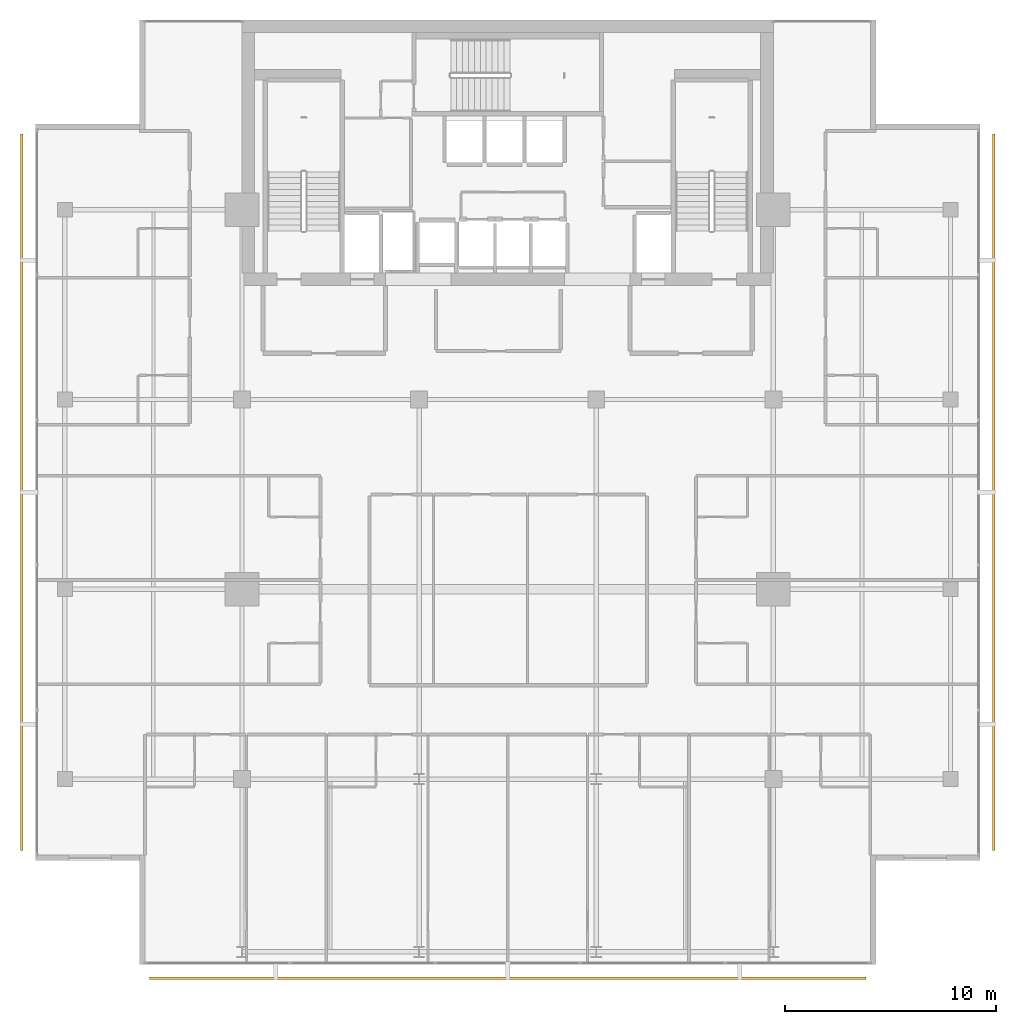
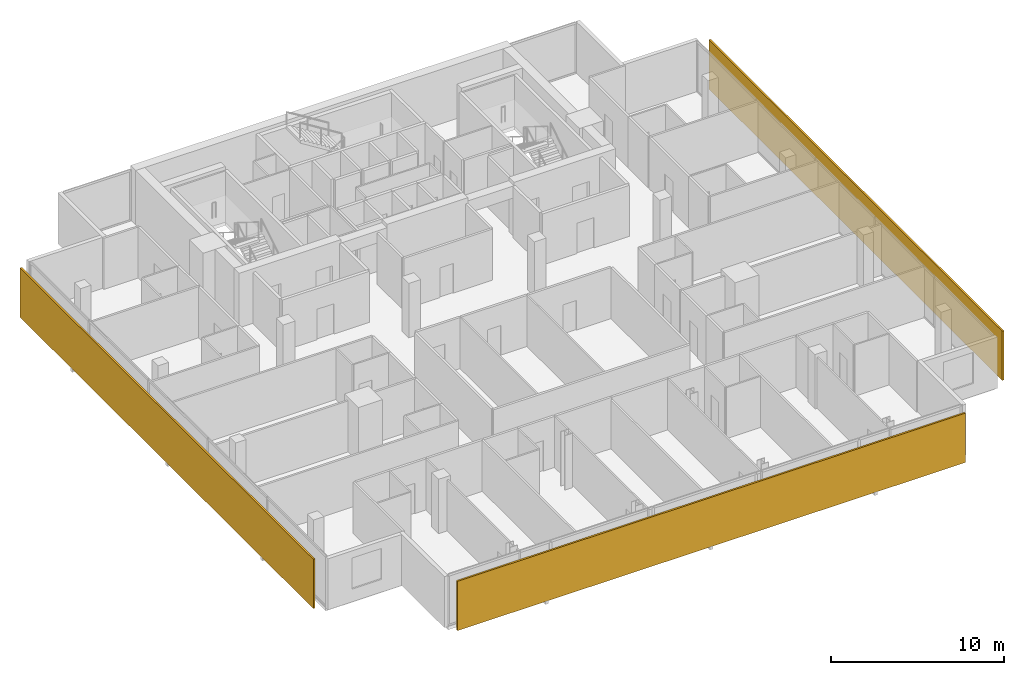
# One storey, part 25 of 26: 3 shading devices.
"""IFC4 building model written with IfcOpenShell, lengths in metres."""

from ifc_helpers import new_model, si_unit, direction, frame, origin, origin_2d, place, context, subcontext, project, spatial, rectangle, extrude, material, layer, layer_set, type_object, element, save


model = new_model("IFC4")

# Units and contexts
model_context = context("Model", 3, precision=1e-05, world=origin(), true_north=direction((0.0, 1.0)))
body_context = subcontext(model_context, "Body", "Model", "MODEL_VIEW")
ifc_project = project(units=[si_unit("LENGTHUNIT", "METRE"), si_unit("AREAUNIT", "SQUARE_METRE"), si_unit("VOLUMEUNIT", "CUBIC_METRE"), si_unit("PLANEANGLEUNIT", "RADIAN"), si_unit("MASSUNIT", "GRAM", prefix="KILO")], contexts=[model_context])

# Site, building, storey
site_placement = place(None, origin())
site = spatial("IfcSite", under=ifc_project, at=site_placement, CompositionType="ELEMENT")
building_placement = place(site_placement, origin())
building = spatial("IfcBuilding", under=site, at=building_placement, Name="Maruvema Waterfront Hotel and Observation Tower", CompositionType="ELEMENT")
storey_placement = place(building_placement, frame((0.0, 0.0, 258.64990234375)))
storey = spatial("IfcBuildingStorey", under=building, at=storey_placement, Name="L63", CompositionType="ELEMENT", Elevation=258.64990234375)

# Shading devices
ifc_material = material(Name="Honed travertine stone and anodised architectural bronze", Category="masonry")
ifc_layer = layer(ifc_material, 0.1201171875, Name="Ventilated Outer Skin Cobogo Stone-and-Bronze Screen 120 mm")
ifc_layer_set = layer_set([ifc_layer], Name="Honed travertine stone and anodised architectural bronze")
shading_device_type = type_object("IfcShadingDeviceType", Name="Ventilated Outer Skin Cobogo Stone-and-Bronze Screen 120 mm", PredefinedType="USERDEFINED", material=ifc_layer_set)
for number, where, z_axis, x_axis, name in (
    (1, (37.800048828125, 8.550048828125, 0.06005859375), (0.0, 0.0, 1.0), (1.0, 0.0, 0.0), "L63 Ventilated Double-Skin Outer Cobogo Screen OS-L63-S"),
    (2, (60.85009765625, 31.60009765625, 0.06005859375), (0.0, 0.0, 1.0), (0.0, 1.0, 0.0), "L63 Ventilated Double-Skin Outer Cobogo Screen OS-L63-E"),
    (3, (14.75, 31.60009765625, 0.06005859375), (0.0, 0.0, 1.0), (0.0, -1.0, 0.0), "L63 Ventilated Double-Skin Outer Cobogo Screen OS-L63-W"),
):
    element("IfcShadingDevice", number, at=place(storey_placement, frame(where, z_axis=z_axis, x_axis=x_axis)), inside=storey, type_object=shading_device_type, Name=name, ObjectType="OUTER SKIN SCREEN", PredefinedType="USERDEFINED", context=body_context, shape_type="SweptSolid", body=[
        extrude(rectangle(XDim=34.0, YDim=0.1201171875, at=origin_2d()), origin(), (0.0, 0.0, 1.0), 3.489990234375),
    ])

save(model, "model.ifc")
